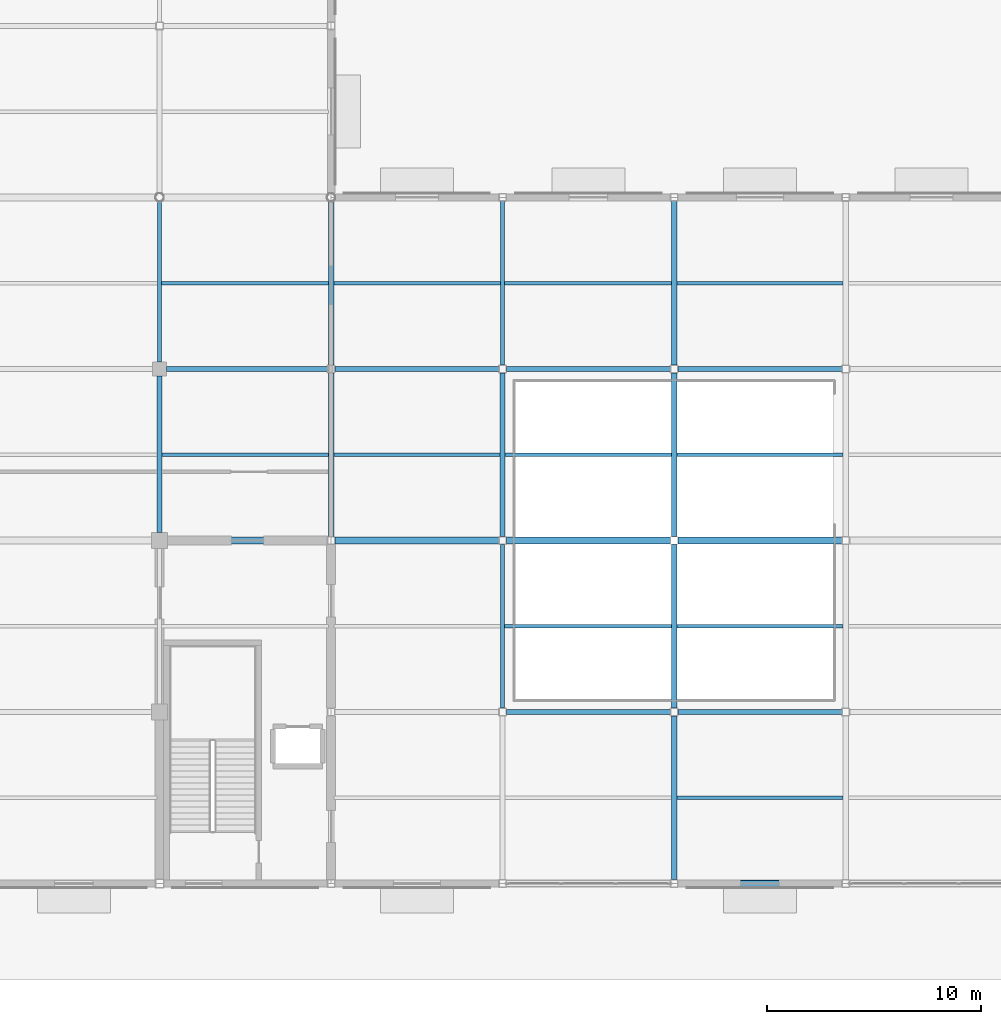
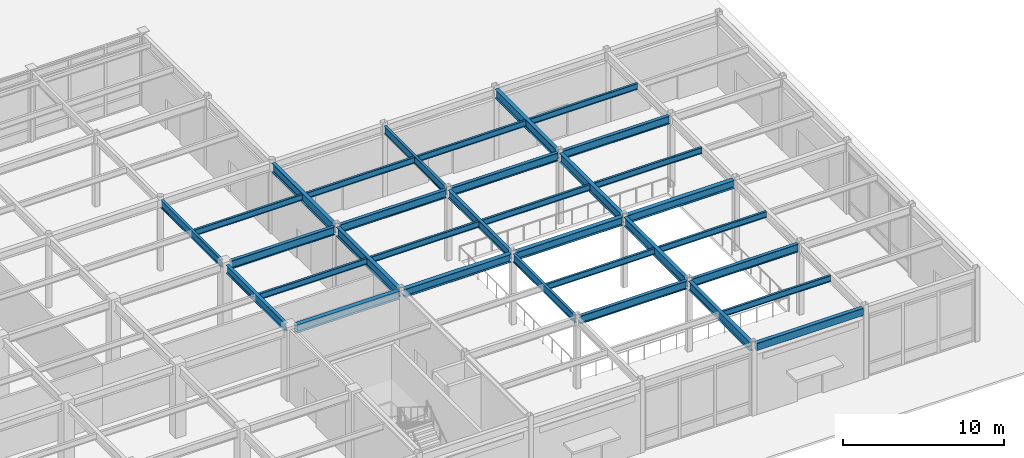
# One storey, part 78 of 128: 33 beams.
"""IFC4 building model written with IfcOpenShell, lengths in metres."""

from ifc_helpers import new_model, si_unit, direction, frame, origin, origin_2d, place, context, subcontext, project, spatial, hollow_rectangle, i_section, extrude, material, material_profile, profile_set, type_object, element, save


model = new_model("IFC4")

# Units and contexts
model_context = context("Model", 3, precision=1e-05, world=origin(), true_north=direction((0.0, 1.0)))
body_context = subcontext(model_context, "Body", "Model", "MODEL_VIEW")
ifc_project = project(units=[si_unit("LENGTHUNIT", "METRE"), si_unit("AREAUNIT", "SQUARE_METRE"), si_unit("VOLUMEUNIT", "CUBIC_METRE"), si_unit("PLANEANGLEUNIT", "RADIAN"), si_unit("MASSUNIT", "GRAM", prefix="KILO")], contexts=[model_context])

# Site, building, storey
site_placement = place(None, origin())
site = spatial("IfcSite", under=ifc_project, at=site_placement, CompositionType="ELEMENT")
building_placement = place(site_placement, origin())
building = spatial("IfcBuilding", under=site, at=building_placement, Name="Solmirada Galleria", CompositionType="ELEMENT")
storey_placement = place(building_placement, origin())
storey = spatial("IfcBuildingStorey", under=building, at=storey_placement, Name="L00", CompositionType="ELEMENT", Elevation=0.0)

# Beams
ifc_material_1 = material(Name="Steel S355 / ASTM A992 Grade 50", Category="steel")
ifc_material_profile_1 = material_profile(ifc_material_1, i_section(OverallWidth=0.323974609375, OverallDepth=0.611083984375, WebThickness=0.0126953125, FlangeThickness=0.01904296875, FilletRadius=0.014892578125, at=origin_2d()), Name="W24X104")
ifc_profile_set_1 = profile_set([ifc_material_profile_1], Name="Steel S355 / ASTM A992 Grade 50")
beam_type_1 = type_object("IfcBeamType", Name="BM-GIRD-W24A", PredefinedType="BEAM", material=ifc_profile_set_1)
beam_1_placement = place(storey_placement, frame((136.375, 16.0, 5.074462890625), z_axis=(1.0, 0.0, 0.0), x_axis=(0.0, 1.0, 0.0)))
element("IfcBeam", 1, at=beam_1_placement, inside=storey, type_object=beam_type_1, Name="Primary beam L01 X(136..144, 16)", PredefinedType="BEAM", context=body_context, shape_type="SweptSolid", body=[
    extrude(i_section(OverallWidth=0.323974609375, OverallDepth=0.611083984375, WebThickness=0.0126953125, FlangeThickness=0.01904296875, FilletRadius=0.014892578125, at=origin_2d()), origin(), (0.0, 0.0, 1.0), 7.447021484375),
])
for number, where, z_axis, x_axis, name in (
    (2, (144.177978515625, 16.0, 5.074462890625), (1.0, 0.0, 0.0), (0.0, 1.0, 0.0), "Primary beam L01 X(144..152, 16)"),
    (3, (152.177978515625, 16.0, 5.074462890625), (1.0, 0.0, 0.0), (0.0, 1.0, 0.0), "Primary beam L01 X(152..160, 16)"),
    (4, (160.177978515625, 16.0, 5.074462890625), (1.0, 0.0, 0.0), (0.0, 1.0, 0.0), "Primary beam L01 X(160..168, 16)"),
):
    element("IfcBeam", number, at=place(storey_placement, frame(where, z_axis=z_axis, x_axis=x_axis)), inside=storey, type_object=beam_type_1, Name=name, PredefinedType="BEAM", context=body_context, shape_type="SweptSolid", body=[
        extrude(i_section(OverallWidth=0.323974609375, OverallDepth=0.611083984375, WebThickness=0.0126953125, FlangeThickness=0.01904296875, FilletRadius=0.014892578125, at=origin_2d()), origin(), (0.0, 0.0, 1.0), 7.64404296875),
    ])
ifc_material_profile_2 = material_profile(ifc_material_1, i_section(OverallWidth=0.22900390625, OverallDepth=0.612060546875, WebThickness=0.011962890625, FlangeThickness=0.01953125, FilletRadius=0.014892578125, at=origin_2d()), Name="W24X84")
ifc_profile_set_2 = profile_set([ifc_material_profile_2], Name="Steel S355 / ASTM A992 Grade 50")
beam_type_2 = type_object("IfcBeamType", Name="BM-GIRD-W24B", PredefinedType="BEAM", material=ifc_profile_set_2)
beam_2_placement = place(storey_placement, frame((136.324951171875, 24.0, 5.073974609375), z_axis=(1.0, 0.0, 0.0), x_axis=(0.0, 1.0, 0.0)))
element("IfcBeam", 5, at=beam_2_placement, inside=storey, type_object=beam_type_2, Name="Primary beam L01 X(136..144, 24)", PredefinedType="BEAM", context=body_context, shape_type="SweptSolid", body=[
    extrude(i_section(OverallWidth=0.22900390625, OverallDepth=0.612060546875, WebThickness=0.011962890625, FlangeThickness=0.01953125, FilletRadius=0.014892578125, at=origin_2d()), origin(), (0.0, 0.0, 1.0), 7.4970703125),
])
for number, where, z_axis, x_axis, name in (
    (6, (144.177978515625, 24.0, 5.073974609375), (1.0, 0.0, 0.0), (0.0, 1.0, 0.0), "Primary beam L01 X(144..152, 24)"),
    (7, (152.177978515625, 8.0, 5.073974609375), (1.0, 0.0, 0.0), (0.0, 1.0, 0.0), "Primary beam L01 X(152..160, 8)"),
    (8, (152.177978515625, 24.0, 5.073974609375), (1.0, 0.0, 0.0), (0.0, 1.0, 0.0), "Primary beam L01 X(152..160, 24)"),
    (9, (160.177978515625, 8.0, 5.073974609375), (1.0, 0.0, 0.0), (0.0, 1.0, 0.0), "Primary beam L01 X(160..168, 8)"),
    (10, (160.177978515625, 24.0, 5.073974609375), (1.0, 0.0, 0.0), (0.0, 1.0, 0.0), "Primary beam L01 X(160..168, 24)"),
):
    element("IfcBeam", number, at=place(storey_placement, frame(where, z_axis=z_axis, x_axis=x_axis)), inside=storey, type_object=beam_type_2, Name=name, PredefinedType="BEAM", context=body_context, shape_type="SweptSolid", body=[
        extrude(i_section(OverallWidth=0.22900390625, OverallDepth=0.612060546875, WebThickness=0.011962890625, FlangeThickness=0.01953125, FilletRadius=0.014892578125, at=origin_2d()), origin(), (0.0, 0.0, 1.0), 7.64404296875),
    ])
ifc_material_profile_3 = material_profile(ifc_material_1, i_section(OverallWidth=0.22802734375, OverallDepth=0.60302734375, WebThickness=0.010498046875, FlangeThickness=0.014892578125, FilletRadius=0.014892578125, at=origin_2d()), Name="W24X68")
ifc_profile_set_3 = profile_set([ifc_material_profile_3], Name="Steel S355 / ASTM A992 Grade 50")
beam_type_3 = type_object("IfcBeamType", Name="BM-GIRD-W24C", PredefinedType="BEAM", material=ifc_profile_set_3)
beam_3_placement = place(storey_placement, frame((136.0, 16.375, 5.07861328125), z_axis=(0.0, 1.0, 0.0), x_axis=(-1.0, 0.0, 0.0)))
element("IfcBeam", 11, at=beam_3_placement, inside=storey, type_object=beam_type_3, Name="Primary girder L01 Y(136, 16..24)", PredefinedType="BEAM", context=body_context, shape_type="SweptSolid", body=[
    extrude(i_section(OverallWidth=0.22802734375, OverallDepth=0.60302734375, WebThickness=0.010498046875, FlangeThickness=0.014892578125, FilletRadius=0.014892578125, at=origin_2d()), origin(), (0.0, 0.0, 1.0), 7.300048828125),
])
beam_4_placement = place(storey_placement, frame((152.0, 16.177978515625, 5.07861328125), z_axis=(0.0, 1.0, 0.0), x_axis=(-1.0, 0.0, 0.0)))
element("IfcBeam", 12, at=beam_4_placement, inside=storey, type_object=beam_type_3, Name="Primary girder L01 Y(152, 16..24)", PredefinedType="BEAM", context=body_context, shape_type="SweptSolid", body=[
    extrude(i_section(OverallWidth=0.22802734375, OverallDepth=0.60302734375, WebThickness=0.010498046875, FlangeThickness=0.014892578125, FilletRadius=0.014892578125, at=origin_2d()), origin(), (0.0, 0.0, 1.0), 7.64404296875),
])
ifc_material_profile_4 = material_profile(ifc_material_1, i_section(OverallWidth=0.177978515625, OverallDepth=0.59912109375, WebThickness=0.010009765625, FlangeThickness=0.0126953125, FilletRadius=0.013916015625, at=origin_2d()), Name="W24X55")
ifc_profile_set_4 = profile_set([ifc_material_profile_4], Name="Steel S355 / ASTM A992 Grade 50")
beam_type_4 = type_object("IfcBeamType", Name="BM-GIRD-W24D", PredefinedType="BEAM", material=ifc_profile_set_4)
beam_5_placement = place(storey_placement, frame((136.0, 24.324951171875, 5.08056640625), z_axis=(0.0, 1.0, 0.0), x_axis=(-1.0, 0.0, 0.0)))
element("IfcBeam", 13, at=beam_5_placement, inside=storey, type_object=beam_type_4, Name="Primary girder L01 Y(136, 24..32)", PredefinedType="BEAM", context=body_context, shape_type="SweptSolid", body=[
    extrude(i_section(OverallWidth=0.177978515625, OverallDepth=0.59912109375, WebThickness=0.010009765625, FlangeThickness=0.0126953125, FilletRadius=0.013916015625, at=origin_2d()), origin(), (0.0, 0.0, 1.0), 7.504638671875),
])
for number, where, z_axis, x_axis, name in (
    (14, (152.0, 8.177978515625, 5.08056640625), (0.0, 1.0, 0.0), (-1.0, 0.0, 0.0), "Primary girder L01 Y(152, 8..16)"),
    (15, (152.0, 24.177978515625, 5.08056640625), (0.0, 1.0, 0.0), (-1.0, 0.0, 0.0), "Primary girder L01 Y(152, 24..32)"),
):
    element("IfcBeam", number, at=place(storey_placement, frame(where, z_axis=z_axis, x_axis=x_axis)), inside=storey, type_object=beam_type_4, Name=name, PredefinedType="BEAM", context=body_context, shape_type="SweptSolid", body=[
        extrude(i_section(OverallWidth=0.177978515625, OverallDepth=0.59912109375, WebThickness=0.010009765625, FlangeThickness=0.0126953125, FilletRadius=0.013916015625, at=origin_2d()), origin(), (0.0, 0.0, 1.0), 7.64404296875),
    ])
ifc_material_profile_5 = material_profile(ifc_material_1, i_section(OverallWidth=0.256103515625, OverallDepth=0.693115234375, WebThickness=0.014404296875, FlangeThickness=0.023681640625, FilletRadius=0.01806640625, at=origin_2d()), Name="W27X114")
ifc_profile_set_5 = profile_set([ifc_material_profile_5], Name="Steel S355 / ASTM A992 Grade 50")
beam_type_5 = type_object("IfcBeamType", Name="BM-GIRD-W27A", PredefinedType="BEAM", material=ifc_profile_set_5)
beam_6_placement = place(storey_placement, frame((144.0, 16.177978515625, 5.033447265625), z_axis=(0.0, 1.0, 0.0), x_axis=(-1.0, 0.0, 0.0)))
element("IfcBeam", 16, at=beam_6_placement, inside=storey, type_object=beam_type_5, Name="Primary girder L01 Y(144, 16..24)", PredefinedType="BEAM", context=body_context, shape_type="SweptSolid", body=[
    extrude(i_section(OverallWidth=0.256103515625, OverallDepth=0.693115234375, WebThickness=0.014404296875, FlangeThickness=0.023681640625, FilletRadius=0.01806640625, at=origin_2d()), origin(), (0.0, 0.0, 1.0), 7.64404296875),
])
beam_7_placement = place(storey_placement, frame((144.0, 24.177978515625, 5.033447265625), z_axis=(0.0, 1.0, 0.0), x_axis=(-1.0, 0.0, 0.0)))
element("IfcBeam", 17, at=beam_7_placement, inside=storey, type_object=beam_type_5, Name="Primary girder L01 Y(144, 24..32)", PredefinedType="BEAM", context=body_context, shape_type="SweptSolid", body=[
    extrude(i_section(OverallWidth=0.256103515625, OverallDepth=0.693115234375, WebThickness=0.014404296875, FlangeThickness=0.023681640625, FilletRadius=0.01806640625, at=origin_2d()), origin(), (0.0, 0.0, 1.0), 7.651611328125),
])
ifc_material_profile_6 = material_profile(ifc_material_1, i_section(OverallWidth=0.25390625, OverallDepth=0.68408203125, WebThickness=0.012451171875, FlangeThickness=0.018798828125, FilletRadius=0.01708984375, at=origin_2d()), Name="W27X94")
ifc_profile_set_6 = profile_set([ifc_material_profile_6], Name="Steel S355 / ASTM A992 Grade 50")
beam_type_6 = type_object("IfcBeamType", Name="BM-GIRD-W27B", PredefinedType="BEAM", material=ifc_profile_set_6)
for number, where, z_axis, x_axis, name in (
    (18, (160.0, 0.177978515625, 5.0380859375), (0.0, 1.0, 0.0), (-1.0, 0.0, 0.0), "Primary girder L01 Y(160, 0..8)"),
    (19, (160.0, 8.177978515625, 5.0380859375), (0.0, 1.0, 0.0), (-1.0, 0.0, 0.0), "Primary girder L01 Y(160, 8..16)"),
    (20, (160.0, 16.177978515625, 5.0380859375), (0.0, 1.0, 0.0), (-1.0, 0.0, 0.0), "Primary girder L01 Y(160, 16..24)"),
    (21, (160.0, 24.177978515625, 5.0380859375), (0.0, 1.0, 0.0), (-1.0, 0.0, 0.0), "Primary girder L01 Y(160, 24..32)"),
):
    element("IfcBeam", number, at=place(storey_placement, frame(where, z_axis=z_axis, x_axis=x_axis)), inside=storey, type_object=beam_type_6, Name=name, PredefinedType="BEAM", context=body_context, shape_type="SweptSolid", body=[
        extrude(i_section(OverallWidth=0.25390625, OverallDepth=0.68408203125, WebThickness=0.012451171875, FlangeThickness=0.018798828125, FilletRadius=0.01708984375, at=origin_2d()), origin(), (0.0, 0.0, 1.0), 7.64404296875),
    ])
ifc_material_profile_7 = material_profile(ifc_material_1, i_section(OverallWidth=0.153076171875, OverallDepth=0.455078125, WebThickness=0.008056640625, FlangeThickness=0.01318359375, FilletRadius=0.011962890625, at=origin_2d()), Name="W18X40")
ifc_profile_set_7 = profile_set([ifc_material_profile_7], Name="Steel S355 / ASTM A992 Grade 50")
beam_type_7 = type_object("IfcBeamType", Name="BM-JST-W18A", PredefinedType="JOIST", material=ifc_profile_set_7)
beam_8_placement = place(storey_placement, frame((136.114013671875, 20.0, 5.152587890625), z_axis=(1.0, 0.0, 0.0), x_axis=(0.0, 1.0, 0.0)))
element("IfcBeam", 22, at=beam_8_placement, inside=storey, type_object=beam_type_7, Name="Composite floor joist L01 (136..144, 20.0)", PredefinedType="JOIST", context=body_context, shape_type="SweptSolid", body=[
    extrude(i_section(OverallWidth=0.153076171875, OverallDepth=0.455078125, WebThickness=0.008056640625, FlangeThickness=0.01318359375, FilletRadius=0.011962890625, at=origin_2d()), origin(), (0.0, 0.0, 1.0), 7.758056640625),
])
beam_9_placement = place(storey_placement, frame((136.089111328125, 28.0, 5.152587890625), z_axis=(1.0, 0.0, 0.0), x_axis=(0.0, 1.0, 0.0)))
element("IfcBeam", 23, at=beam_9_placement, inside=storey, type_object=beam_type_7, Name="Composite floor joist L01 (136..144, 28.0)", PredefinedType="JOIST", context=body_context, shape_type="SweptSolid", body=[
    extrude(i_section(OverallWidth=0.153076171875, OverallDepth=0.455078125, WebThickness=0.008056640625, FlangeThickness=0.01318359375, FilletRadius=0.011962890625, at=origin_2d()), origin(), (0.0, 0.0, 1.0), 7.782958984375),
])
beam_10_placement = place(storey_placement, frame((144.1279296875, 20.0, 5.152587890625), z_axis=(1.0, 0.0, 0.0), x_axis=(0.0, 1.0, 0.0)))
element("IfcBeam", 24, at=beam_10_placement, inside=storey, type_object=beam_type_7, Name="Composite floor joist L01 (144..152, 20.0)", PredefinedType="JOIST", context=body_context, shape_type="SweptSolid", body=[
    extrude(i_section(OverallWidth=0.153076171875, OverallDepth=0.455078125, WebThickness=0.008056640625, FlangeThickness=0.01318359375, FilletRadius=0.011962890625, at=origin_2d()), origin(), (0.0, 0.0, 1.0), 7.758056640625),
])
beam_11_placement = place(storey_placement, frame((144.1279296875, 28.0, 5.152587890625), z_axis=(1.0, 0.0, 0.0), x_axis=(0.0, 1.0, 0.0)))
element("IfcBeam", 25, at=beam_11_placement, inside=storey, type_object=beam_type_7, Name="Composite floor joist L01 (144..152, 28.0)", PredefinedType="JOIST", context=body_context, shape_type="SweptSolid", body=[
    extrude(i_section(OverallWidth=0.153076171875, OverallDepth=0.455078125, WebThickness=0.008056640625, FlangeThickness=0.01318359375, FilletRadius=0.011962890625, at=origin_2d()), origin(), (0.0, 0.0, 1.0), 7.782958984375),
])
beam_12_placement = place(storey_placement, frame((152.089111328125, 12.0, 5.152587890625), z_axis=(1.0, 0.0, 0.0), x_axis=(0.0, 1.0, 0.0)))
element("IfcBeam", 26, at=beam_12_placement, inside=storey, type_object=beam_type_7, Name="Composite floor joist L01 (152..160, 12.0)", PredefinedType="JOIST", context=body_context, shape_type="SweptSolid", body=[
    extrude(i_section(OverallWidth=0.153076171875, OverallDepth=0.455078125, WebThickness=0.008056640625, FlangeThickness=0.01318359375, FilletRadius=0.011962890625, at=origin_2d()), origin(), (0.0, 0.0, 1.0), 7.783935546875),
])
beam_13_placement = place(storey_placement, frame((152.114013671875, 20.0, 5.152587890625), z_axis=(1.0, 0.0, 0.0), x_axis=(0.0, 1.0, 0.0)))
element("IfcBeam", 27, at=beam_13_placement, inside=storey, type_object=beam_type_7, Name="Composite floor joist L01 (152..160, 20.0)", PredefinedType="JOIST", context=body_context, shape_type="SweptSolid", body=[
    extrude(i_section(OverallWidth=0.153076171875, OverallDepth=0.455078125, WebThickness=0.008056640625, FlangeThickness=0.01318359375, FilletRadius=0.011962890625, at=origin_2d()), origin(), (0.0, 0.0, 1.0), 7.759033203125),
])
beam_14_placement = place(storey_placement, frame((152.089111328125, 28.0, 5.152587890625), z_axis=(1.0, 0.0, 0.0), x_axis=(0.0, 1.0, 0.0)))
element("IfcBeam", 28, at=beam_14_placement, inside=storey, type_object=beam_type_7, Name="Composite floor joist L01 (152..160, 28.0)", PredefinedType="JOIST", context=body_context, shape_type="SweptSolid", body=[
    extrude(i_section(OverallWidth=0.153076171875, OverallDepth=0.455078125, WebThickness=0.008056640625, FlangeThickness=0.01318359375, FilletRadius=0.011962890625, at=origin_2d()), origin(), (0.0, 0.0, 1.0), 7.783935546875),
])
for number, where, z_axis, x_axis, name in (
    (29, (160.126953125, 4.0, 5.152587890625), (1.0, 0.0, 0.0), (0.0, 1.0, 0.0), "Composite floor joist L01 (160..168, 4.0)"),
    (30, (160.126953125, 12.0, 5.152587890625), (1.0, 0.0, 0.0), (0.0, 1.0, 0.0), "Composite floor joist L01 (160..168, 12.0)"),
    (31, (160.126953125, 20.0, 5.152587890625), (1.0, 0.0, 0.0), (0.0, 1.0, 0.0), "Composite floor joist L01 (160..168, 20.0)"),
    (32, (160.126953125, 28.0, 5.152587890625), (1.0, 0.0, 0.0), (0.0, 1.0, 0.0), "Composite floor joist L01 (160..168, 28.0)"),
):
    element("IfcBeam", number, at=place(storey_placement, frame(where, z_axis=z_axis, x_axis=x_axis)), inside=storey, type_object=beam_type_7, Name=name, PredefinedType="JOIST", context=body_context, shape_type="SweptSolid", body=[
        extrude(i_section(OverallWidth=0.153076171875, OverallDepth=0.455078125, WebThickness=0.008056640625, FlangeThickness=0.01318359375, FilletRadius=0.011962890625, at=origin_2d()), origin(), (0.0, 0.0, 1.0), 7.7451171875),
    ])
ifc_material_2 = material(Name="Steel S355 / ASTM A500 Grade C", Category="steel")
ifc_material_profile_8 = material_profile(ifc_material_2, hollow_rectangle(XDim=0.304931640625, YDim=0.55908203125, WallThickness=0.01171875, InnerFilletRadius=0.01171875, OuterFilletRadius=0.023681640625, at=origin_2d()), Name="HSS22X12X1/2")
ifc_profile_set_8 = profile_set([ifc_material_profile_8], Name="Steel S355 / ASTM A500 Grade C")
beam_type_8 = type_object("IfcBeamType", Name="BM-SPAND-W21", PredefinedType="SPANDREL", material=ifc_profile_set_8)
beam_15_placement = place(storey_placement, frame((160.177978515625, 0.0, 5.1005859375), z_axis=(1.0, 0.0, 0.0), x_axis=(0.0, 1.0, 0.0)))
element("IfcBeam", 33, at=beam_15_placement, inside=storey, type_object=beam_type_8, Name="Primary beam L01 X(160..168, 0)", PredefinedType="SPANDREL", context=body_context, shape_type="SweptSolid", body=[
    extrude(hollow_rectangle(XDim=0.304931640625, YDim=0.55908203125, WallThickness=0.01171875, InnerFilletRadius=0.01171875, OuterFilletRadius=0.023681640625, at=origin_2d()), origin(), (0.0, 0.0, 1.0), 7.64404296875),
])

save(model, "model.ifc")
